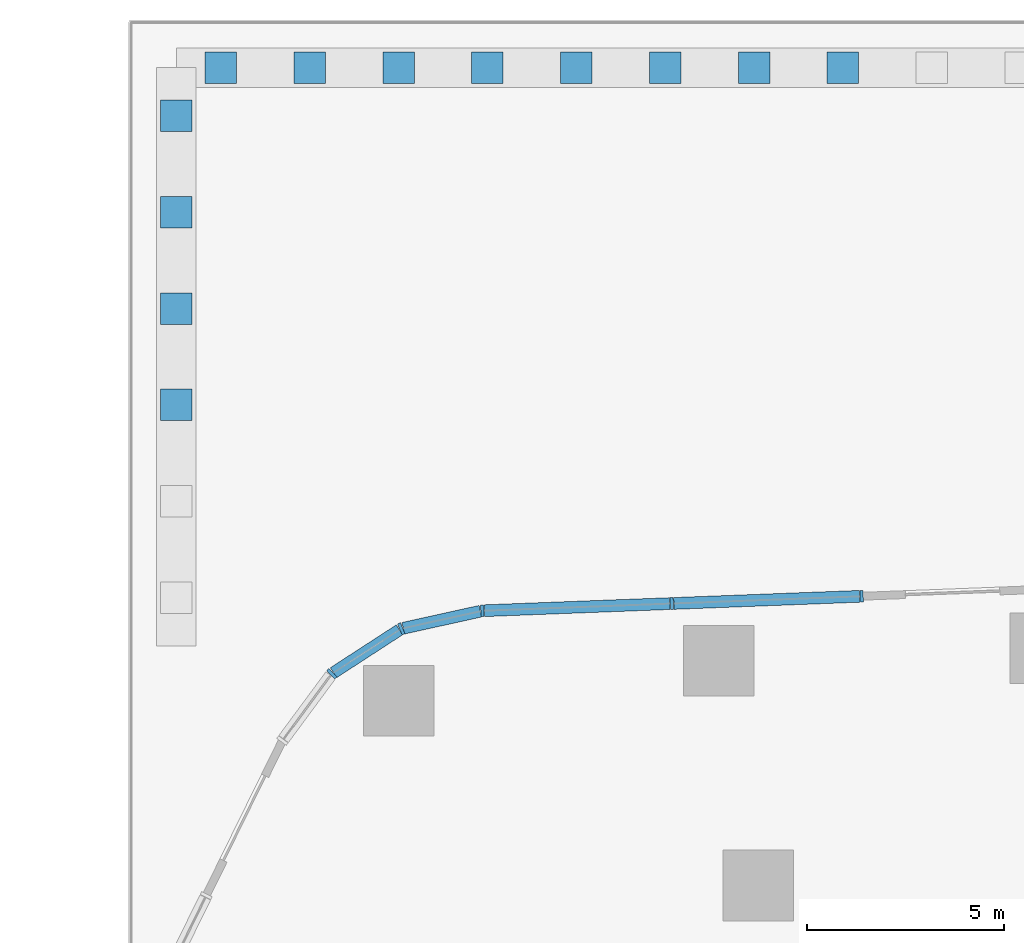
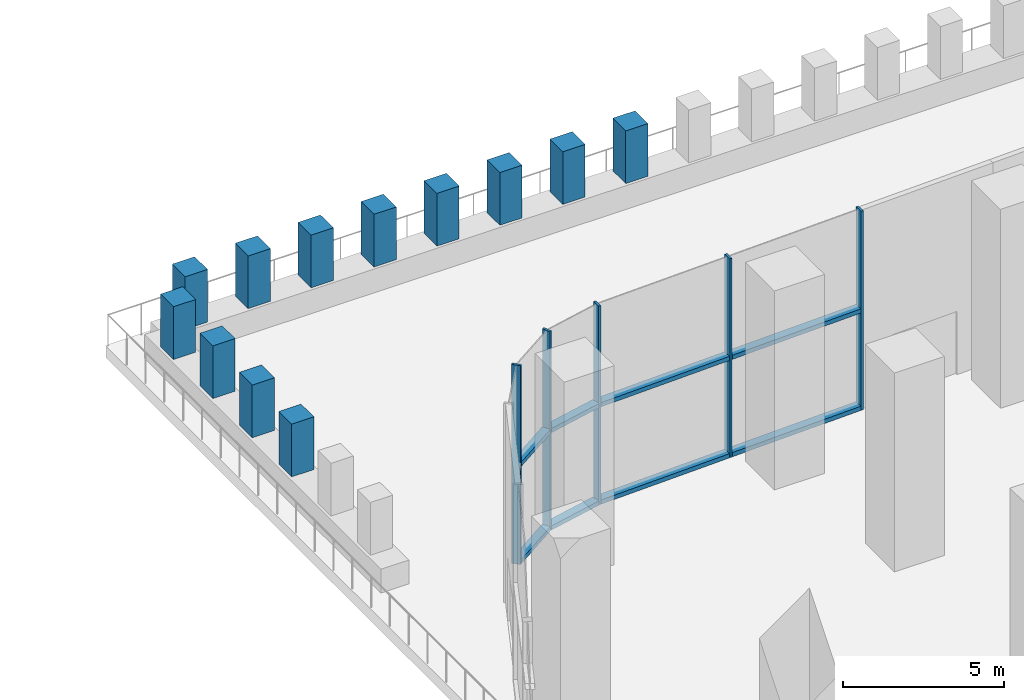
# One storey, part 8 of 22: 25 members, 2 elements without a shape of their own.
"""IFC4 building model written with IfcOpenShell, lengths in metres."""

import ifcopenshell
import ifcopenshell.guid

model = None  # the IFC model being written
_history = None  # IfcOwnerHistory: only IFC2X3 demands one
_inside = {}  # id of a spatial element -> (the spatial element, [elements in it])
_under = {}  # id of a project, library or spatial element -> (it, [spatial elements below it])
_declared = {}  # id of a project -> (the project, [libraries it declares])
_typed = {}  # id of a type object -> (the type object, [elements of that type])
_made_of = {}  # id of a material, layer set ... -> (it, [elements and type objects made of it])


def new_model(schema):
    """Start an empty IFC model of exactly this schema.

    Asked for "IFC4X3", IfcOpenShell would pick the latest addendum, in which some entities
    have other attributes; the version numbers below select the first issue.
    IFC2X3 requires an IfcOwnerHistory on every rooted entity: one is made here for all.
    """
    global model, _history
    if schema == "IFC4X3":
        model = ifcopenshell.file(schema_version=(4, 3, 0, 0))
    else:
        model = ifcopenshell.file(schema=schema)
    _inside.clear()
    _under.clear()
    _declared.clear()
    _typed.clear()
    _made_of.clear()
    _history = None
    if model.schema == "IFC2X3":
        org = make("IfcOrganization", Name="unknown")
        user = make(
            "IfcPersonAndOrganization",
            ThePerson=make("IfcPerson", FamilyName="unknown"),
            TheOrganization=org,
        )
        app = make(
            "IfcApplication",
            ApplicationDeveloper=org,
            Version="unknown",
            ApplicationFullName="unknown",
            ApplicationIdentifier="unknown",
        )
        _history = make(
            "IfcOwnerHistory",
            OwningUser=user,
            OwningApplication=app,
            ChangeAction="ADDED",
            CreationDate=0,
        )
    return model


def make(cls, **values):
    """One entity of the class cls with the attributes given. An attribute that is None is left unset."""
    return model.create_entity(
        cls, **{name: value for name, value in values.items() if value is not None}
    )


def rooted(cls, **values):
    """An entity with a GlobalId (a new one), such as an element, a storey or a relation."""
    return make(cls, GlobalId=ifcopenshell.guid.new(), OwnerHistory=_history, **values)


def si_unit(unit_type, name, prefix=None):
    """IfcSIUnit, for example si_unit("LENGTHUNIT", "METRE", prefix="MILLI")."""
    return make("IfcSIUnit", UnitType=unit_type, Prefix=prefix, Name=name)


def assignment(units):
    """IfcUnitAssignment: the units of a project."""
    return None if units is None else make("IfcUnitAssignment", Units=units)


def point(xyz):
    """IfcCartesianPoint."""
    return None if xyz is None else make("IfcCartesianPoint", Coordinates=xyz)


def direction(xyz):
    """IfcDirection."""
    return None if xyz is None else make("IfcDirection", DirectionRatios=xyz)


def frame(location, z_axis=None, x_axis=None):
    """IfcAxis2Placement3D, a coordinate frame: its origin and axes. An axis left out is left unset."""
    return make(
        "IfcAxis2Placement3D",
        Location=point(location),
        Axis=direction(z_axis),
        RefDirection=direction(x_axis),
    )


def frame_2d(location, x_axis=None):
    """IfcAxis2Placement2D, a coordinate frame in the plane: its origin and x axis."""
    return make(
        "IfcAxis2Placement2D", Location=point(location), RefDirection=direction(x_axis)
    )


def origin():
    """The frame at (0, 0, 0) with its axes left unset."""
    return frame((0.0, 0.0, 0.0))


def origin_2d():
    """The frame at (0, 0) in the plane with its x axis left unset."""
    return frame_2d((0.0, 0.0))


def place(relative_to, where):
    """IfcLocalPlacement: puts the frame where relative to a parent placement (None: the world)."""
    return make(
        "IfcLocalPlacement", PlacementRelTo=relative_to, RelativePlacement=where
    )


def context(
    kind, dimensions, precision=None, world=None, true_north=None, identifier=None
):
    """IfcGeometricRepresentationContext, for example the 3D "Model" context."""
    return make(
        "IfcGeometricRepresentationContext",
        ContextIdentifier=identifier,
        ContextType=kind,
        CoordinateSpaceDimension=dimensions,
        Precision=precision,
        WorldCoordinateSystem=world,
        TrueNorth=true_north,
    )


def subcontext(parent, identifier, kind, view, scale=None):
    """IfcGeometricRepresentationSubContext, for example "Body" below "Model"."""
    return make(
        "IfcGeometricRepresentationSubContext",
        ContextIdentifier=identifier,
        ContextType=kind,
        ParentContext=parent,
        TargetScale=scale,
        TargetView=view,
    )


def project(units=None, contexts=None):
    """IfcProject with its units and contexts."""
    return rooted(
        "IfcProject",
        Name="project",
        RepresentationContexts=contexts,
        UnitsInContext=assignment(units),
    )


def spatial(cls, under=None, at=None, **own):
    """A site, building, storey or space (cls), placed at a placement, below another one or the project."""
    s = rooted(cls, ObjectPlacement=at, **own)
    if under is not None:
        _under.setdefault(under.id(), (under, []))[1].append(s)
    return s


def profile(cls, at=None, kind="AREA", **sizes):
    """A parametric profile (cls). Its sizes go by their IFC names, for example OverallWidth=200.0."""
    return make(cls, ProfileType=kind, Position=at, **sizes)


def rectangle(**sizes):
    """IfcRectangleProfileDef."""
    return profile("IfcRectangleProfileDef", **sizes)


def extrude(swept, where, along, depth):
    """IfcExtrudedAreaSolid: the profile swept, set in the frame where, extruded along a direction by depth."""
    return make(
        "IfcExtrudedAreaSolid",
        SweptArea=swept,
        Position=where,
        ExtrudedDirection=direction(along),
        Depth=depth,
    )


def shape(context_of_items, identifier, shape_type, items):
    """IfcShapeRepresentation: the items that make up one representation, for example the "Body"."""
    return make(
        "IfcShapeRepresentation",
        ContextOfItems=context_of_items,
        RepresentationIdentifier=identifier,
        RepresentationType=shape_type,
        Items=items,
    )


def material(Name=None, Category=None):
    """IfcMaterial."""
    return make("IfcMaterial", Name=Name, Category=Category)


def layer(
    of_material, thickness, ventilated=None, Name=None, Category=None, Priority=None
):
    """IfcMaterialLayer: one layer of a wall or slab, of a material (None: an air gap)."""
    return make(
        "IfcMaterialLayer",
        Material=of_material,
        LayerThickness=thickness,
        IsVentilated=ventilated,
        Name=Name,
        Category=Category,
        Priority=Priority,
    )


def layer_set(layers, Name=None):
    """IfcMaterialLayerSet."""
    return make("IfcMaterialLayerSet", MaterialLayers=layers, LayerSetName=Name)


def material_profile(
    of_material, cross_section, Name=None, Category=None, Priority=None
):
    """IfcMaterialProfile: a cross section and its material."""
    return make(
        "IfcMaterialProfile",
        Name=Name,
        Material=of_material,
        Profile=cross_section,
        Priority=Priority,
        Category=Category,
    )


def profile_set(profiles, Name=None, composite=None):
    """IfcMaterialProfileSet."""
    return make(
        "IfcMaterialProfileSet",
        Name=Name,
        MaterialProfiles=profiles,
        CompositeProfile=composite,
    )


def made_of(thing, what):
    """Note that an element or type object is made of a material, layer set ...; save() writes the relation."""
    if what is not None:
        _made_of.setdefault(what.id(), (what, []))[1].append(thing)
    return thing


def type_object(cls, material=None, **own):
    """A type object (cls), such as IfcWallType, which elements share."""
    return made_of(rooted(cls, **own), material)


def element(
    cls,
    number,
    at=None,
    inside=None,
    cuts=None,
    type_object=None,
    material=None,
    context=None,
    identifier="Body",
    shape_type=None,
    held_by="IfcProductDefinitionShape",
    body=None,
    shapes=None,
    **own,
):
    """One element of the class cls, such as IfcWall. Its Tag is "e" and its number.

    at: its placement. inside: the storey or other place that contains it. cuts: it is an
    opening in that element (IfcRelVoidsElement). A single representation is given by context,
    identifier, shape_type and body (its items); several are given by shapes. held_by: the class
    of the entity that holds the representations. save() writes the other relations.
    """
    e = rooted(cls, Tag="e%d" % number, ObjectPlacement=at, **own)
    if body is not None:
        shapes = [shape(context, identifier, shape_type, body)]
    if shapes is not None:
        e.Representation = make(held_by, Representations=shapes)
    if inside is not None:
        _inside.setdefault(inside.id(), (inside, []))[1].append(e)
    if cuts is not None:
        rooted(
            "IfcRelVoidsElement", RelatingBuildingElement=cuts, RelatedOpeningElement=e
        )
    if type_object is not None:
        _typed.setdefault(type_object.id(), (type_object, []))[1].append(e)
    return made_of(e, material)


def aggregate(whole, parts):
    """IfcRelAggregates: a whole, such as a stair, and the parts it consists of."""
    return rooted("IfcRelAggregates", RelatingObject=whole, RelatedObjects=parts)


def save(model, path):
    """Write the relations noted so far, then the file.

    IfcRelAggregates (storeys below a building ...), IfcRelContainedInSpatialStructure (elements
    in a storey), IfcRelDefinesByType, IfcRelAssociatesMaterial and IfcRelDeclares: one each for
    every whole, place, type object, material and project.
    """
    for whole, parts in _under.values():
        aggregate(whole, parts)
    for where, things in _inside.values():
        rooted(
            "IfcRelContainedInSpatialStructure",
            RelatedElements=things,
            RelatingStructure=where,
        )
    for kind, things in _typed.values():
        rooted("IfcRelDefinesByType", RelatedObjects=things, RelatingType=kind)
    for what, things in _made_of.values():
        rooted("IfcRelAssociatesMaterial", RelatedObjects=things, RelatingMaterial=what)
    for by, libraries in _declared.values():
        rooted("IfcRelDeclares", RelatingContext=by, RelatedDefinitions=libraries)
    model.write(path)


model = new_model("IFC4")

# Units and contexts
model_context = context("Model", 3, precision=1e-05, world=origin(), true_north=direction((0.0, 1.0)))
body_context = subcontext(model_context, "Body", "Model", "MODEL_VIEW")
ifc_project = project(units=[si_unit("LENGTHUNIT", "METRE"), si_unit("AREAUNIT", "SQUARE_METRE"), si_unit("VOLUMEUNIT", "CUBIC_METRE"), si_unit("PLANEANGLEUNIT", "RADIAN"), si_unit("MASSUNIT", "GRAM", prefix="KILO")], contexts=[model_context])

# Site, building, storey
site_placement = place(None, origin())
site = spatial("IfcSite", under=ifc_project, at=site_placement, CompositionType="ELEMENT")
building_placement = place(site_placement, origin())
building = spatial("IfcBuilding", under=site, at=building_placement, Name="Dongbaek Canopy Tower", CompositionType="ELEMENT")
storey_placement = place(building_placement, frame((0.0, 0.0, 19.0)))
storey = spatial("IfcBuildingStorey", under=building, at=storey_placement, Name="L02", CompositionType="ELEMENT", Elevation=19.0)

# Curtain wall, members
ifc_material_1 = material(Name="Aluminium 6063-T6 pale anodised", Category="aluminium")
ifc_layer = layer(ifc_material_1, 0.300048828125)
ifc_layer_set = layer_set([ifc_layer], Name="CW-2 podium hall curtain wall")
curtain_wall_type = type_object("IfcCurtainWallType", Name="CW-2 podium hall curtain wall", PredefinedType="NOTDEFINED", material=ifc_layer_set)
curtain_wall_1_placement = place(storey_placement, origin())
curtain_wall_1 = element("IfcCurtainWall", 1, at=curtain_wall_1_placement, inside=storey, type_object=curtain_wall_type, Name="CW-2 curtain wall F2.2", PredefinedType="NOTDEFINED")
ifc_material_2 = material(Name="Aluminium 6063-T6 pale anodised", Category="aluminium")
ifc_material_profile_1 = material_profile(ifc_material_2, rectangle(XDim=0.300048828125, YDim=0.080078125, at=origin_2d()), Name="CW-2 mullion 80 x 300")
ifc_profile_set_1 = profile_set([ifc_material_profile_1], Name="Aluminium 6063-T6 pale anodised")
member_type_1 = type_object("IfcMemberType", Name="CW-2 mullion 80 x 300", PredefinedType="MULLION", material=ifc_profile_set_1)
member_1_placement = place(storey_placement, frame((-6.372802734375, 34.354248046875, 0.0), z_axis=(0.0, 0.0, 1.0), x_axis=(-0.038231975991, 0.999268890746, 0.0)))
member_1 = element("IfcMember", 2, at=member_1_placement, type_object=member_type_1, Name="CW-2 mullion F2.2.1", PredefinedType="MULLION", context=body_context, shape_type="SweptSolid", body=[
    extrude(rectangle(XDim=0.300048828125, YDim=0.080078125, at=origin_2d()), origin(), (0.0, 0.0, 1.0), 7.550048828125),
])
member_2_placement = place(storey_placement, frame((-11.19677734375, 34.169677734375, 0.0), z_axis=(0.0, 0.0, 1.0), x_axis=(-0.038231975991, 0.999268890746, 0.0)))
member_2 = element("IfcMember", 3, at=member_2_placement, type_object=member_type_1, Name="CW-2 mullion F2.2.2", PredefinedType="MULLION", context=body_context, shape_type="SweptSolid", body=[
    extrude(rectangle(XDim=0.300048828125, YDim=0.080078125, at=origin_2d()), origin(), (0.0, 0.0, 1.0), 7.550048828125),
])
member_3_placement = place(storey_placement, frame((-16.01171875, 33.9853515625, 0.0), z_axis=(0.0, 0.0, 1.0), x_axis=(-0.038231975991, 0.999268890746, 0.0)))
member_3 = element("IfcMember", 4, at=member_3_placement, type_object=member_type_1, Name="CW-2 mullion F2.2.3", PredefinedType="MULLION", context=body_context, shape_type="SweptSolid", body=[
    extrude(rectangle(XDim=0.300048828125, YDim=0.080078125, at=origin_2d()), origin(), (0.0, 0.0, 1.0), 7.550048828125),
])

curtain_wall_2_placement = place(storey_placement, origin())
curtain_wall_2 = element("IfcCurtainWall", 5, at=curtain_wall_2_placement, inside=storey, type_object=curtain_wall_type, Name="CW-2 curtain wall K3.1", PredefinedType="NOTDEFINED")
member_4_placement = place(storey_placement, frame((-18.07421875, 33.529541015625, 0.0), z_axis=(0.0, 0.0, 1.0), x_axis=(-0.386403140373, 0.92232999144, 0.0)))
member_4 = element("IfcMember", 6, at=member_4_placement, type_object=member_type_1, Name="CW-2 mullion K3.1.2", PredefinedType="MULLION", context=body_context, shape_type="SweptSolid", body=[
    extrude(rectangle(XDim=0.300048828125, YDim=0.080078125, at=origin_2d()), origin(), (0.0, 0.0, 1.0), 7.550048828125),
])
member_5_placement = place(storey_placement, frame((-19.838134765625, 32.384033203125, 0.0), z_axis=(0.0, 0.0, 1.0), x_axis=(-0.685445734799, 0.728123715207, 0.0)))
member_5 = element("IfcMember", 7, at=member_5_placement, type_object=member_type_1, Name="CW-2 mullion K3.1.3", PredefinedType="MULLION", context=body_context, shape_type="SweptSolid", body=[
    extrude(rectangle(XDim=0.300048828125, YDim=0.080078125, at=origin_2d()), origin(), (0.0, 0.0, 1.0), 7.550048828125),
])

# Member
ifc_material_3 = material(Name="Aluminium 6063-T6 pale anodised", Category="aluminium")
ifc_material_profile_2 = material_profile(ifc_material_3, rectangle(XDim=0.300048828125, YDim=0.159912109375, at=origin_2d()), Name="CW-2 transom 160 x 300")
ifc_profile_set_2 = profile_set([ifc_material_profile_2], Name="Aluminium 6063-T6 pale anodised")
member_type_2 = type_object("IfcMemberType", Name="CW-2 transom 160 x 300", PredefinedType="USERDEFINED", material=ifc_profile_set_2)
member_6_placement = place(storey_placement, frame((-6.4248046875, 34.352294921875, 0.080078125), z_axis=(-0.999268257886, -0.038248513466, 0.0), x_axis=(0.038248513466, -0.999268257886, 0.0)))
member_6 = element("IfcMember", 8, at=member_6_placement, type_object=member_type_2, Name="CW-2 transom F2.2.1.1", ObjectType="TRANSOM", PredefinedType="USERDEFINED", context=body_context, shape_type="SweptSolid", body=[
    extrude(rectangle(XDim=0.300048828125, YDim=0.159912109375, at=origin_2d()), origin(), (0.0, 0.0, 1.0), 4.723388671875),
])

member_7_placement = place(storey_placement, frame((-6.4248046875, 34.352294921875, 3.77490234375), z_axis=(-0.999268257886, -0.038248513466, 0.0), x_axis=(0.038248513466, -0.999268257886, 0.0)))
member_7 = element("IfcMember", 9, at=member_7_placement, type_object=member_type_2, Name="CW-2 transom F2.2.1.2", ObjectType="TRANSOM", PredefinedType="USERDEFINED", context=body_context, shape_type="SweptSolid", body=[
    extrude(rectangle(XDim=0.300048828125, YDim=0.159912109375, at=origin_2d()), origin(), (0.0, 0.0, 1.0), 4.723388671875),
])

member_8_placement = place(storey_placement, frame((-11.248779296875, 34.167724609375, 0.080078125), z_axis=(-0.999267433808, -0.038270036981, 0.0), x_axis=(0.038270036981, -0.999267433808, 0.0)))
member_8 = element("IfcMember", 10, at=member_8_placement, type_object=member_type_2, Name="CW-2 transom F2.2.2.1", ObjectType="TRANSOM", PredefinedType="USERDEFINED", context=body_context, shape_type="SweptSolid", body=[
    extrude(rectangle(XDim=0.300048828125, YDim=0.159912109375, at=origin_2d()), origin(), (0.0, 0.0, 1.0), 4.71435546875),
])

member_9_placement = place(storey_placement, frame((-11.248779296875, 34.167724609375, 3.77490234375), z_axis=(-0.999267433808, -0.038270036981, 0.0), x_axis=(0.038270036981, -0.999267433808, 0.0)))
member_9 = element("IfcMember", 11, at=member_9_placement, type_object=member_type_2, Name="CW-2 transom F2.2.2.2", ObjectType="TRANSOM", PredefinedType="USERDEFINED", context=body_context, shape_type="SweptSolid", body=[
    extrude(rectangle(XDim=0.300048828125, YDim=0.159912109375, at=origin_2d()), origin(), (0.0, 0.0, 1.0), 4.71435546875),
])

aggregate(curtain_wall_1, [member_1, member_2, member_3, member_6, member_7, member_8, member_9])

member_10_placement = place(storey_placement, frame((-16.0625, 33.97412109375, 0.080078125), z_axis=(-0.976440967433, -0.215784700846, 0.0), x_axis=(0.215784700846, -0.976440967433, 0.0)))
member_10 = element("IfcMember", 12, at=member_10_placement, type_object=member_type_2, Name="CW-2 transom K3.1.1.1", ObjectType="TRANSOM", PredefinedType="USERDEFINED", context=body_context, shape_type="SweptSolid", body=[
    extrude(rectangle(XDim=0.300048828125, YDim=0.159912109375, at=origin_2d()), origin(), (0.0, 0.0, 1.0), 2.00830078125),
])

member_11_placement = place(storey_placement, frame((-16.0625, 33.97412109375, 3.77490234375), z_axis=(-0.976440967433, -0.215784700846, 0.0), x_axis=(0.215784700846, -0.976440967433, 0.0)))
member_11 = element("IfcMember", 13, at=member_11_placement, type_object=member_type_2, Name="CW-2 transom K3.1.1.2", ObjectType="TRANSOM", PredefinedType="USERDEFINED", context=body_context, shape_type="SweptSolid", body=[
    extrude(rectangle(XDim=0.300048828125, YDim=0.159912109375, at=origin_2d()), origin(), (0.0, 0.0, 1.0), 2.00830078125),
])

member_12_placement = place(storey_placement, frame((-18.117919921875, 33.501220703125, 0.080078125), z_axis=(-0.838641667451, -0.544683535289, 0.0), x_axis=(0.544683535289, -0.838641667451, 0.0)))
member_12 = element("IfcMember", 14, at=member_12_placement, type_object=member_type_2, Name="CW-2 transom K3.1.2.1", ObjectType="TRANSOM", PredefinedType="USERDEFINED", context=body_context, shape_type="SweptSolid", body=[
    extrude(rectangle(XDim=0.300048828125, YDim=0.159912109375, at=origin_2d()), origin(), (0.0, 0.0, 1.0), 1.9990234375),
])

member_13_placement = place(storey_placement, frame((-18.117919921875, 33.501220703125, 3.77490234375), z_axis=(-0.838641667451, -0.544683535289, 0.0), x_axis=(0.544683535289, -0.838641667451, 0.0)))
member_13 = element("IfcMember", 15, at=member_13_placement, type_object=member_type_2, Name="CW-2 transom K3.1.2.2", ObjectType="TRANSOM", PredefinedType="USERDEFINED", context=body_context, shape_type="SweptSolid", body=[
    extrude(rectangle(XDim=0.300048828125, YDim=0.159912109375, at=origin_2d()), origin(), (0.0, 0.0, 1.0), 1.9990234375),
])

aggregate(curtain_wall_2, [member_4, member_5, member_10, member_11, member_12, member_13])

# Members
ifc_material_4 = material(Name="Concrete C40/50 planter mass with planting", Category="concrete")
ifc_material_profile_3 = material_profile(ifc_material_4, rectangle(XDim=0.800048828125, YDim=0.800048828125, at=origin_2d()), Name="Shrub planting 800 x 800 x 2000")
ifc_profile_set_3 = profile_set([ifc_material_profile_3], Name="Concrete C40/50 planter mass with planting")
member_type_3 = type_object("IfcMemberType", Name="Shrub planting 800 x 800 x 2000", PredefinedType="USERDEFINED", material=ifc_profile_set_3)
for number, where, z_axis, x_axis, name in (
    (16, (-23.7900390625, 39.217041015625, 0.89990234375), (0.0, 0.0, 1.0), (1.0, 0.0, 0.0), "Podium shrub planting 3"),
    (17, (-23.7900390625, 41.66650390625, 0.89990234375), (0.0, 0.0, 1.0), (1.0, 0.0, 0.0), "Podium shrub planting 4"),
    (18, (-23.7900390625, 44.115966796875, 0.89990234375), (0.0, 0.0, 1.0), (1.0, 0.0, 0.0), "Podium shrub planting 5"),
    (19, (-23.7900390625, 46.565185546875, 0.89990234375), (0.0, 0.0, 1.0), (1.0, 0.0, 0.0), "Podium shrub planting 6"),
    (20, (-22.66064453125, 47.789794921875, 0.89990234375), (0.0, 0.0, 1.0), (1.0, 0.0, 0.0), "Podium shrub planting 7"),
    (21, (-20.401611328125, 47.789794921875, 0.89990234375), (0.0, 0.0, 1.0), (1.0, 0.0, 0.0), "Podium shrub planting 8"),
    (22, (-18.142822265625, 47.789794921875, 0.89990234375), (0.0, 0.0, 1.0), (1.0, 0.0, 0.0), "Podium shrub planting 9"),
    (23, (-15.8837890625, 47.78955078125, 0.89990234375), (0.0, 0.0, 1.0), (1.0, 0.0, 0.0), "Podium shrub planting 10"),
    (24, (-13.625, 47.78955078125, 0.89990234375), (0.0, 0.0, 1.0), (1.0, 0.0, 0.0), "Podium shrub planting 11"),
    (25, (-11.365966796875, 47.789306640625, 0.89990234375), (0.0, 0.0, 1.0), (1.0, 0.0, 0.0), "Podium shrub planting 12"),
    (26, (-9.10693359375, 47.789306640625, 0.89990234375), (0.0, 0.0, 1.0), (1.0, 0.0, 0.0), "Podium shrub planting 13"),
    (27, (-6.84814453125, 47.789306640625, 0.89990234375), (0.0, 0.0, 1.0), (1.0, 0.0, 0.0), "Podium shrub planting 14"),
):
    element("IfcMember", number, at=place(storey_placement, frame(where, z_axis=z_axis, x_axis=x_axis)), inside=storey, type_object=member_type_3, Name=name, ObjectType="PLANTING", PredefinedType="USERDEFINED", context=body_context, shape_type="SweptSolid", body=[
        extrude(rectangle(XDim=0.800048828125, YDim=0.800048828125, at=origin_2d()), origin(), (0.0, 0.0, 1.0), 2.0),
    ])

save(model, "model.ifc")
